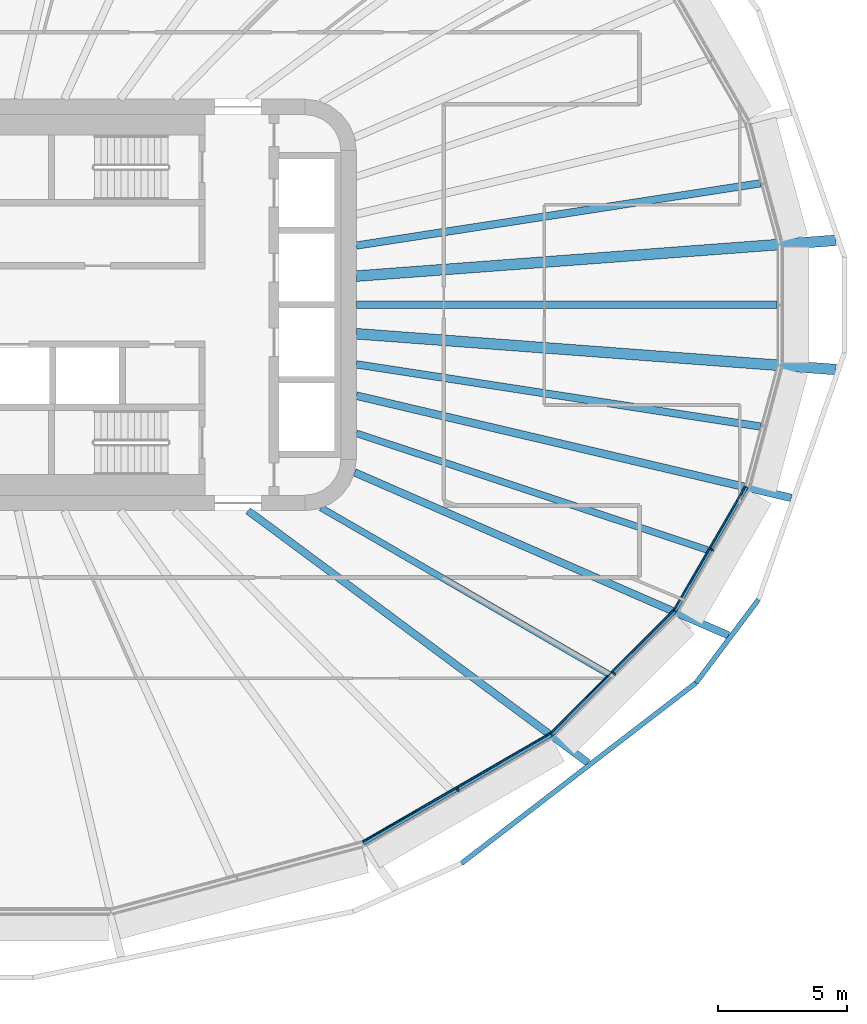
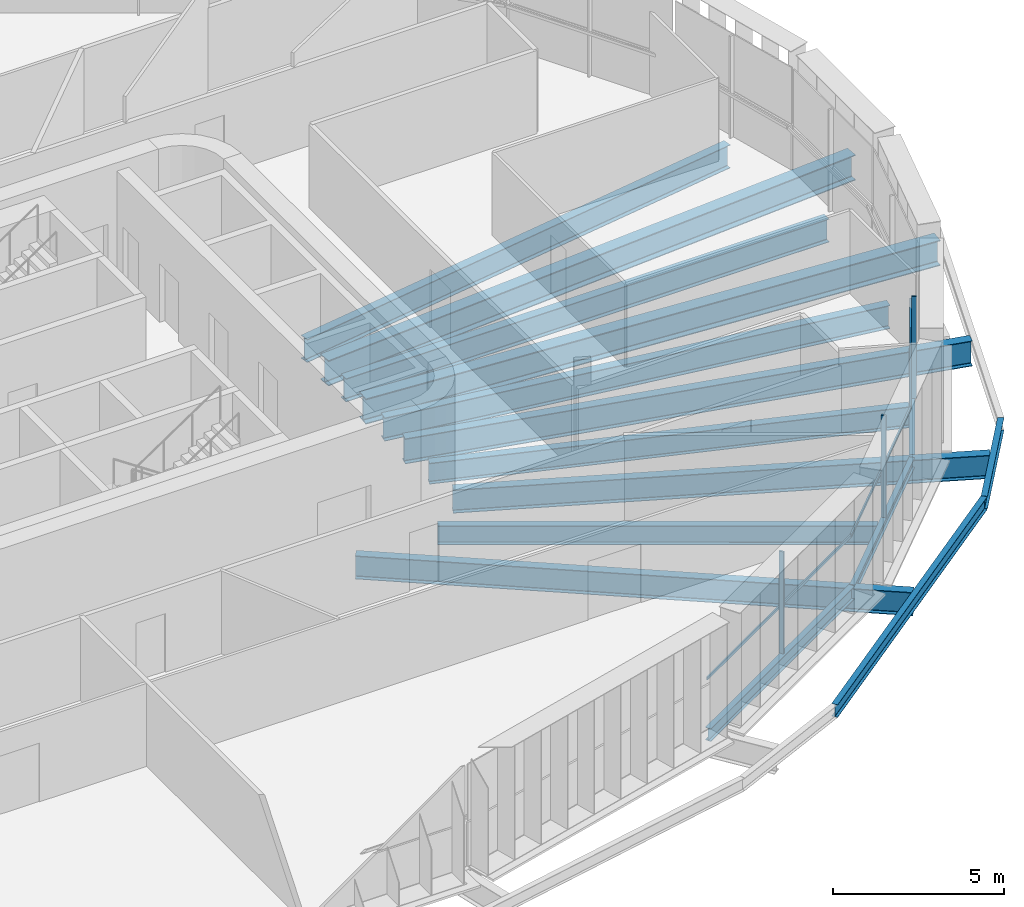
# One storey, part 5 of 25: 15 beams, 6 members, 3 elements without a shape of their own.
"""IFC4 building model written with IfcOpenShell, lengths in metres."""

from ifc_helpers import new_model, si_unit, direction, frame, origin, origin_2d, place, context, subcontext, project, spatial, rectangle, i_section, extrude, material, layer, layer_set, material_profile, profile_set, type_object, element, aggregate, save


model = new_model("IFC4")

# Units and contexts
model_context = context("Model", 3, precision=1e-05, world=origin(), true_north=direction((0.0, 1.0)))
body_context = subcontext(model_context, "Body", "Model", "MODEL_VIEW")
ifc_project = project(units=[si_unit("LENGTHUNIT", "METRE"), si_unit("AREAUNIT", "SQUARE_METRE"), si_unit("VOLUMEUNIT", "CUBIC_METRE"), si_unit("PLANEANGLEUNIT", "RADIAN"), si_unit("MASSUNIT", "GRAM", prefix="KILO")], contexts=[model_context])

# Site, building, storey
site_placement = place(None, origin())
site = spatial("IfcSite", under=ifc_project, at=site_placement, CompositionType="ELEMENT")
building_placement = place(site_placement, origin())
building = spatial("IfcBuilding", under=site, at=building_placement, Name="Sahrelin Media Tower", CompositionType="ELEMENT")
storey_placement = place(building_placement, frame((0.0, 0.0, 144.0)))
storey = spatial("IfcBuildingStorey", under=building, at=storey_placement, Name="L29", CompositionType="ELEMENT", Elevation=144.0)

# Beams
ifc_material_1 = material(Name="Steel S355", Category="steel")
ifc_material_profile_1 = material_profile(ifc_material_1, i_section(OverallWidth=0.1650390625, OverallDepth=0.303466796875, WebThickness=0.006103515625, FlangeThickness=0.01025390625, FilletRadius=0.0087890625, at=origin_2d()), Name="UB 305x165x40")
ifc_profile_set_1 = profile_set([ifc_material_profile_1], Name="Steel S355")
beam_type_1 = type_object("IfcBeamType", Name="Edge beam EB2", PredefinedType="BEAM", material=ifc_profile_set_1)
beam_1_placement = place(storey_placement, frame((30.15478515625, -7.07861328125, -0.3017578125), z_axis=(-0.500036242679, -0.866004478053, 0.0), x_axis=(0.866004478053, -0.500036242679, 0.0)))
element("IfcBeam", 1, at=beam_1_placement, inside=storey, type_object=beam_type_1, Name="Edge beam L29-03", PredefinedType="BEAM", context=body_context, shape_type="SweptSolid", body=[
    extrude(i_section(OverallWidth=0.1650390625, OverallDepth=0.303466796875, WebThickness=0.006103515625, FlangeThickness=0.01025390625, FilletRadius=0.0087890625, at=origin_2d()), origin(), (0.0, 0.0, 1.0), 5.544921875),
])
ifc_material_profile_2 = material_profile(ifc_material_1, i_section(OverallWidth=0.17138671875, OverallDepth=0.35498046875, WebThickness=0.00732421875, FlangeThickness=0.011474609375, FilletRadius=0.01025390625, at=origin_2d()), Name="UB 356x171x51")
ifc_profile_set_2 = profile_set([ifc_material_profile_2], Name="Steel S355")
beam_type_2 = type_object("IfcBeamType", Name="Edge beam EB3", PredefinedType="BEAM", material=ifc_profile_set_2)
beam_2_placement = place(storey_placement, frame((27.36474609375, -11.903564453125, -0.327392578125), z_axis=(-0.707106781187, -0.707106781187, 0.0), x_axis=(0.707106781187, -0.707106781187, 0.0)))
element("IfcBeam", 2, at=beam_2_placement, inside=storey, type_object=beam_type_2, Name="Edge beam L29-04", PredefinedType="BEAM", context=body_context, shape_type="SweptSolid", body=[
    extrude(i_section(OverallWidth=0.17138671875, OverallDepth=0.35498046875, WebThickness=0.00732421875, FlangeThickness=0.011474609375, FilletRadius=0.01025390625, at=origin_2d()), origin(), (0.0, 0.0, 1.0), 6.751953125),
])
ifc_material_profile_3 = material_profile(ifc_material_1, i_section(OverallWidth=0.1904296875, OverallDepth=0.45703125, WebThickness=0.009033203125, FlangeThickness=0.014404296875, FilletRadius=0.01025390625, at=origin_2d()), Name="UB 457x191x74")
ifc_profile_set_3 = profile_set([ifc_material_profile_3], Name="Steel S355")
beam_type_3 = type_object("IfcBeamType", Name="Edge beam EB5", PredefinedType="BEAM", material=ifc_profile_set_3)
beam_3_placement = place(storey_placement, frame((22.5673828125, -16.695556640625, -0.37841796875), z_axis=(-0.866028896434, -0.499993950504, 0.0), x_axis=(0.499993950504, -0.866028896434, 0.0)))
element("IfcBeam", 3, at=beam_3_placement, inside=storey, type_object=beam_type_3, Name="Edge beam L29-05", PredefinedType="BEAM", context=body_context, shape_type="SweptSolid", body=[
    extrude(i_section(OverallWidth=0.1904296875, OverallDepth=0.45703125, WebThickness=0.009033203125, FlangeThickness=0.014404296875, FilletRadius=0.01025390625, at=origin_2d()), origin(), (0.0, 0.0, 1.0), 8.4326171875),
])

# Curtain wall, member
ifc_material_2 = material(Name="Champagne anodised aluminium 6063-T6", Category="aluminium")
ifc_layer = layer(ifc_material_2, 0.14990234375)
ifc_layer_set = layer_set([ifc_layer], Name="Tower ribbon curtain wall")
curtain_wall_type = type_object("IfcCurtainWallType", Name="Tower ribbon curtain wall", PredefinedType="NOTDEFINED", material=ifc_layer_set)
curtain_wall_1_placement = place(storey_placement, frame((18.990966796875, -18.93359375, 0.0), z_axis=(0.0, 0.0, 1.0), x_axis=(1.0, 0.0, 0.0)))
curtain_wall_1 = element("IfcCurtainWall", 4, at=curtain_wall_1_placement, inside=storey, type_object=curtain_wall_type, Name="L29:CW:L29-20", PredefinedType="NOTDEFINED")
ifc_material_profile_4 = material_profile(ifc_material_2, rectangle(XDim=0.06005859375, YDim=0.14990234375, at=origin_2d()), Name="Mullion 60x150")
ifc_profile_set_4 = profile_set([ifc_material_profile_4], Name="Champagne anodised aluminium 6063-T6")
member_type_1 = type_object("IfcMemberType", Name="Mullion 60x150 CW1", PredefinedType="MULLION", material=ifc_profile_set_4)
member_1_placement = place(storey_placement, frame((18.943603515625, -18.851318359375, 0.0), z_axis=(0.0, 0.0, 1.0), x_axis=(0.866027149108, 0.499996976998, 0.0)))
member_1 = element("IfcMember", 5, at=member_1_placement, type_object=member_type_1, Name="L29:CWM:L29-20", PredefinedType="MULLION", context=body_context, shape_type="SweptSolid", body=[
    extrude(rectangle(XDim=0.06005859375, YDim=0.14990234375, at=origin_2d()), origin(), (0.0, 0.0, 1.0), 3.648681640625),
])

curtain_wall_2_placement = place(storey_placement, frame((25.08349609375, -14.396728515625, 0.0), z_axis=(0.0, 0.0, 1.0), x_axis=(1.0, 0.0, 0.0)))
curtain_wall_2 = element("IfcCurtainWall", 6, at=curtain_wall_2_placement, inside=storey, type_object=curtain_wall_type, Name="L29:CW:L29-21", PredefinedType="NOTDEFINED")
member_2_placement = place(storey_placement, frame((25.016357421875, -14.32958984375, 0.0), z_axis=(0.0, 0.0, 1.0), x_axis=(0.707106781187, 0.707106781187, 0.0)))
member_2 = element("IfcMember", 7, at=member_2_placement, type_object=member_type_1, Name="L29:CWM:L29-21", PredefinedType="MULLION", context=body_context, shape_type="SweptSolid", body=[
    extrude(rectangle(XDim=0.06005859375, YDim=0.14990234375, at=origin_2d()), origin(), (0.0, 0.0, 1.0), 3.648681640625),
])

curtain_wall_3_placement = place(storey_placement, frame((28.8984375, -9.5546875, 0.0), z_axis=(0.0, 0.0, 1.0), x_axis=(1.0, 0.0, 0.0)))
curtain_wall_3 = element("IfcCurtainWall", 8, at=curtain_wall_3_placement, inside=storey, type_object=curtain_wall_type, Name="L29:CW:L29-22", PredefinedType="NOTDEFINED")
member_3_placement = place(storey_placement, frame((28.816162109375, -9.507080078125, 0.0), z_axis=(0.0, 0.0, 1.0), x_axis=(0.49999395399, 0.866028894422, 0.0)))
member_3 = element("IfcMember", 9, at=member_3_placement, type_object=member_type_1, Name="L29:CWM:L29-22", PredefinedType="MULLION", context=body_context, shape_type="SweptSolid", body=[
    extrude(rectangle(XDim=0.06005859375, YDim=0.14990234375, at=origin_2d()), origin(), (0.0, 0.0, 1.0), 3.648681640625),
])

# Beams
ifc_material_profile_5 = material_profile(ifc_material_1, i_section(OverallWidth=0.291748046875, OverallDepth=0.8349609375, WebThickness=0.013916015625, FlangeThickness=0.018798828125, FilletRadius=0.017822265625, at=origin_2d()), Name="UB 838x292x176")
ifc_profile_set_5 = profile_set([ifc_material_profile_5], Name="Steel S355")
beam_type_4 = type_object("IfcBeamType", Name="Radial primary beam PB10", PredefinedType="BEAM", material=ifc_profile_set_5)
beam_4_placement = place(storey_placement, frame((10.791015625, -8.0, -0.5673828125), z_axis=(0.803315320736, -0.595553940017, 0.0), x_axis=(0.595553940017, 0.803315320736, 0.0)))
element("IfcBeam", 10, at=beam_4_placement, inside=storey, type_object=beam_type_4, Name="Radial beam L29-21", PredefinedType="BEAM", context=body_context, shape_type="SweptSolid", body=[
    extrude(i_section(OverallWidth=0.291748046875, OverallDepth=0.8349609375, WebThickness=0.013916015625, FlangeThickness=0.018798828125, FilletRadius=0.017822265625, at=origin_2d()), origin(), (0.0, 0.0, 1.0), 16.454833984375),
])
beam_5_placement = place(storey_placement, frame((14.93310546875, -6.509521484375, -0.5673828125), z_axis=(0.916695386273, -0.399586747509, 0.0), x_axis=(0.399586747509, 0.916695386273, 0.0)))
element("IfcBeam", 11, at=beam_5_placement, inside=storey, type_object=beam_type_4, Name="Radial beam L29-22", PredefinedType="BEAM", context=body_context, shape_type="SweptSolid", body=[
    extrude(i_section(OverallWidth=0.291748046875, OverallDepth=0.8349609375, WebThickness=0.013916015625, FlangeThickness=0.018798828125, FilletRadius=0.017822265625, at=origin_2d()), origin(), (0.0, 0.0, 1.0), 15.85693359375),
])
ifc_material_profile_6 = material_profile(ifc_material_1, i_section(OverallWidth=0.30322265625, OverallDepth=0.903076171875, WebThickness=0.01513671875, FlangeThickness=0.020263671875, FilletRadius=0.01904296875, at=origin_2d()), Name="UB 914x305x201")
ifc_profile_set_6 = profile_set([ifc_material_profile_6], Name="Steel S355")
beam_type_5 = type_object("IfcBeamType", Name="Radial primary beam PB11", PredefinedType="BEAM", material=ifc_profile_set_6)
beam_6_placement = place(storey_placement, frame((15.0, -3.5263671875, -0.6015625), z_axis=(0.973460472846, -0.228855211448, 0.0), x_axis=(0.228855211448, 0.973460472846, 0.0)))
element("IfcBeam", 12, at=beam_6_placement, inside=storey, type_object=beam_type_5, Name="Radial beam L29-23", PredefinedType="BEAM", context=body_context, shape_type="SweptSolid", body=[
    extrude(i_section(OverallWidth=0.30322265625, OverallDepth=0.903076171875, WebThickness=0.01513671875, FlangeThickness=0.020263671875, FilletRadius=0.01904296875, at=origin_2d()), origin(), (0.0, 0.0, 1.0), 17.368408203125),
])
ifc_material_profile_7 = material_profile(ifc_material_1, i_section(OverallWidth=0.41845703125, OverallDepth=0.911865234375, WebThickness=0.019287109375, FlangeThickness=0.031982421875, FilletRadius=0.024169921875, at=origin_2d()), Name="UB 914x419x343")
ifc_profile_set_7 = profile_set([ifc_material_profile_7], Name="Steel S355")
beam_type_6 = type_object("IfcBeamType", Name="Radial primary beam PB12", PredefinedType="BEAM", material=ifc_profile_set_7)
for number, where, z_axis, x_axis, name in (
    (13, (15.0, 1.120361328125, -0.60595703125), (0.997223071371, 0.074472450777, 0.0), (-0.074472450777, 0.997223071371, 0.0), "Radial beam L29-01"),
    (14, (15.0, -1.120361328125, -0.60595703125), (0.997223071371, -0.074472450777, 0.0), (0.074472450777, 0.997223071371, 0.0), "Radial beam L29-24"),
):
    element("IfcBeam", number, at=place(storey_placement, frame(where, z_axis=z_axis, x_axis=x_axis)), inside=storey, type_object=beam_type_6, Name=name, PredefinedType="BEAM", context=body_context, shape_type="SweptSolid", body=[
        extrude(i_section(OverallWidth=0.41845703125, OverallDepth=0.911865234375, WebThickness=0.019287109375, FlangeThickness=0.031982421875, FilletRadius=0.024169921875, at=origin_2d()), origin(), (0.0, 0.0, 1.0), 18.696044921875),
    ])
ifc_material_profile_8 = material_profile(ifc_material_1, i_section(OverallWidth=0.291748046875, OverallDepth=0.8349609375, WebThickness=0.013916015625, FlangeThickness=0.018798828125, FilletRadius=0.017822265625, at=origin_2d()), Name="UB 838x292x176")
ifc_profile_set_8 = profile_set([ifc_material_profile_8], Name="Steel S355")
beam_type_7 = type_object("IfcBeamType", Name="Radial secondary beam SB10", PredefinedType="BEAM", material=ifc_profile_set_8)
for number, where, z_axis, x_axis, name in (
    (15, (15.0, 2.308837890625, -0.5673828125), (0.988359089309, 0.152139115876, 0.0), (-0.152139115876, 0.988359089309, 0.0), "Secondary beam L29-01"),
    (16, (15.0, -2.308837890625, -0.5673828125), (0.988359089309, -0.152139115876, 0.0), (0.152139115876, 0.988359089309, 0.0), "Secondary beam L29-23"),
):
    element("IfcBeam", number, at=place(storey_placement, frame(where, z_axis=z_axis, x_axis=x_axis)), inside=storey, type_object=beam_type_7, Name=name, PredefinedType="BEAM", context=body_context, shape_type="SweptSolid", body=[
        extrude(i_section(OverallWidth=0.291748046875, OverallDepth=0.8349609375, WebThickness=0.013916015625, FlangeThickness=0.018798828125, FilletRadius=0.017822265625, at=origin_2d()), origin(), (0.0, 0.0, 1.0), 15.89794921875),
    ])
beam_7_placement = place(storey_placement, frame((15.0, 0.0, -0.5673828125), z_axis=(1.0, 0.0, 0.0), x_axis=(0.0, 1.0, 0.0)))
element("IfcBeam", 17, at=beam_7_placement, inside=storey, type_object=beam_type_7, Name="Secondary beam L29-24", PredefinedType="BEAM", context=body_context, shape_type="SweptSolid", body=[
    extrude(i_section(OverallWidth=0.291748046875, OverallDepth=0.8349609375, WebThickness=0.013916015625, FlangeThickness=0.018798828125, FilletRadius=0.017822265625, at=origin_2d()), origin(), (0.0, 0.0, 1.0), 16.355712890625),
])
ifc_material_profile_9 = material_profile(ifc_material_1, i_section(OverallWidth=0.2529296875, OverallDepth=0.677978515625, WebThickness=0.01171875, FlangeThickness=0.01611328125, FilletRadius=0.01513671875, at=origin_2d()), Name="UB 686x254x125")
ifc_profile_set_9 = profile_set([ifc_material_profile_9], Name="Steel S355")
beam_type_8 = type_object("IfcBeamType", Name="Radial secondary beam SB8", PredefinedType="BEAM", material=ifc_profile_set_9)
beam_8_placement = place(storey_placement, frame((13.62939453125, -7.885498046875, -0.489013671875), z_axis=(0.865569164292, -0.500789398676, 0.0), x_axis=(0.500789398676, 0.865569164292, 0.0)))
element("IfcBeam", 18, at=beam_8_placement, inside=storey, type_object=beam_type_8, Name="Secondary beam L29-21", PredefinedType="BEAM", context=body_context, shape_type="SweptSolid", body=[
    extrude(i_section(OverallWidth=0.2529296875, OverallDepth=0.677978515625, WebThickness=0.01171875, FlangeThickness=0.01611328125, FilletRadius=0.01513671875, at=origin_2d()), origin(), (0.0, 0.0, 1.0), 12.904541015625),
])
ifc_material_profile_10 = material_profile(ifc_material_1, i_section(OverallWidth=0.26513671875, OverallDepth=0.75390625, WebThickness=0.0126953125, FlangeThickness=0.017578125, FilletRadius=0.0166015625, at=origin_2d()), Name="UB 762x267x147")
ifc_profile_set_10 = profile_set([ifc_material_profile_10], Name="Steel S355")
beam_type_9 = type_object("IfcBeamType", Name="Radial secondary beam SB9", PredefinedType="BEAM", material=ifc_profile_set_10)
beam_9_placement = place(storey_placement, frame((15.0, -4.9873046875, -0.527099609375), z_axis=(0.948922383089, -0.315509605039, 0.0), x_axis=(0.315509605039, 0.948922383089, 0.0)))
element("IfcBeam", 19, at=beam_9_placement, inside=storey, type_object=beam_type_9, Name="Secondary beam L29-22", PredefinedType="BEAM", context=body_context, shape_type="SweptSolid", body=[
    extrude(i_section(OverallWidth=0.26513671875, OverallDepth=0.75390625, WebThickness=0.0126953125, FlangeThickness=0.017578125, FilletRadius=0.0166015625, at=origin_2d()), origin(), (0.0, 0.0, 1.0), 14.3818359375),
])
ifc_material_profile_11 = material_profile(ifc_material_1, i_section(OverallWidth=0.1904296875, OverallDepth=0.45703125, WebThickness=0.009033203125, FlangeThickness=0.014404296875, FilletRadius=0.01025390625, at=origin_2d()), Name="UB 457x191x74")
ifc_profile_set_11 = profile_set([ifc_material_profile_11], Name="Steel S355")
beam_type_10 = type_object("IfcBeamType", Name="Tie chord TC5", PredefinedType="BEAM", material=ifc_profile_set_11)
beam_10_placement = place(storey_placement, frame((19.088623046875, -21.70751953125, -0.37841796875), z_axis=(0.792440876725, 0.609948733005, 0.0), x_axis=(-0.609948733005, 0.792440876725, 0.0)))
element("IfcBeam", 20, at=beam_10_placement, inside=storey, type_object=beam_type_10, Name="Tie chord L29-21", PredefinedType="BEAM", context=body_context, shape_type="SweptSolid", body=[
    extrude(i_section(OverallWidth=0.1904296875, OverallDepth=0.45703125, WebThickness=0.009033203125, FlangeThickness=0.014404296875, FilletRadius=0.01025390625, at=origin_2d()), origin(), (0.0, 0.0, 1.0), 11.501220703125),
])
beam_11_placement = place(storey_placement, frame((28.20263671875, -14.6923828125, -0.37841796875), z_axis=(0.600077169797, 0.799942116836, 0.0), x_axis=(-0.799942116836, 0.600077169797, 0.0)))
element("IfcBeam", 21, at=beam_11_placement, inside=storey, type_object=beam_type_10, Name="Tie chord L29-22", PredefinedType="BEAM", context=body_context, shape_type="SweptSolid", body=[
    extrude(i_section(OverallWidth=0.1904296875, OverallDepth=0.45703125, WebThickness=0.009033203125, FlangeThickness=0.014404296875, FilletRadius=0.01025390625, at=origin_2d()), origin(), (0.0, 0.0, 1.0), 4.04931640625),
])

# Member
ifc_material_profile_12 = material_profile(ifc_material_2, rectangle(XDim=0.050048828125, YDim=0.10009765625, at=origin_2d()), Name="Transom 50x100")
ifc_profile_set_12 = profile_set([ifc_material_profile_12], Name="Champagne anodised aluminium 6063-T6")
member_type_2 = type_object("IfcMemberType", Name="Transom 50x100 CW1", PredefinedType="USERDEFINED", material=ifc_profile_set_12)
member_4_placement = place(storey_placement, frame((15.255615234375, -20.864990234375, 1.60009765625), z_axis=(0.866020563817, 0.500008382975, 0.0), x_axis=(-0.500008382975, 0.866020563817, 0.0)))
member_4 = element("IfcMember", 22, at=member_4_placement, type_object=member_type_2, Name="L29:CWT:L29-20", ObjectType="TRANSOM", PredefinedType="USERDEFINED", context=body_context, shape_type="SweptSolid", body=[
    extrude(rectangle(XDim=0.050048828125, YDim=0.10009765625, at=origin_2d()), origin(), (0.0, 0.0, 1.0), 8.401123046875),
])

aggregate(curtain_wall_1, [member_1, member_4])

member_5_placement = place(storey_placement, frame((22.569580078125, -16.635009765625, 1.60009765625), z_axis=(0.707106781187, 0.707106781187, 0.0), x_axis=(-0.707106781187, 0.707106781187, 0.0)))
member_5 = element("IfcMember", 23, at=member_5_placement, type_object=member_type_2, Name="L29:CWT:L29-21", ObjectType="TRANSOM", PredefinedType="USERDEFINED", context=body_context, shape_type="SweptSolid", body=[
    extrude(rectangle(XDim=0.050048828125, YDim=0.10009765625, at=origin_2d()), origin(), (0.0, 0.0, 1.0), 6.720703125),
])

aggregate(curtain_wall_2, [member_2, member_5])

member_6_placement = place(storey_placement, frame((27.35107421875, -11.844482421875, 1.60009765625), z_axis=(0.500006091826, 0.866021886639, 0.0), x_axis=(-0.866021886639, 0.500006091826, 0.0)))
member_6 = element("IfcMember", 24, at=member_6_placement, type_object=member_type_2, Name="L29:CWT:L29-22", ObjectType="TRANSOM", PredefinedType="USERDEFINED", context=body_context, shape_type="SweptSolid", body=[
    extrude(rectangle(XDim=0.050048828125, YDim=0.10009765625, at=origin_2d()), origin(), (0.0, 0.0, 1.0), 5.513671875),
])

aggregate(curtain_wall_3, [member_3, member_6])

save(model, "model.ifc")
